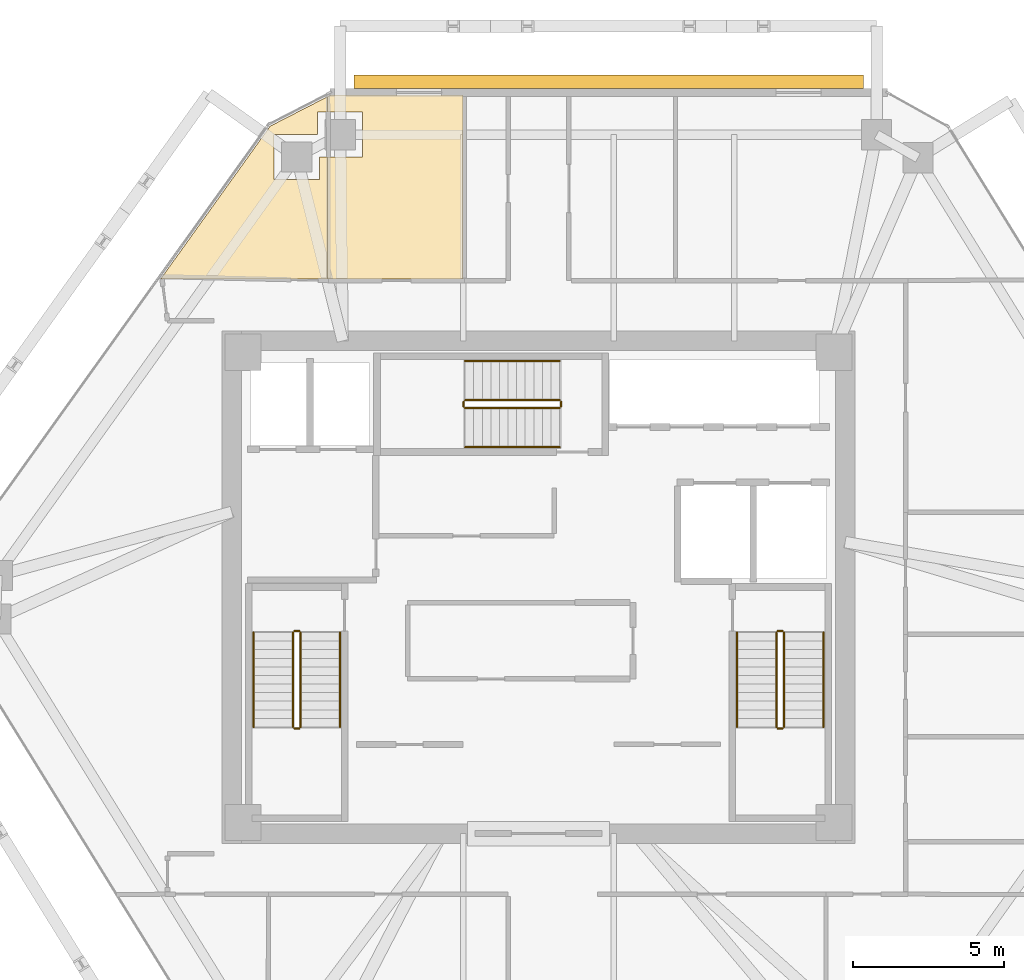
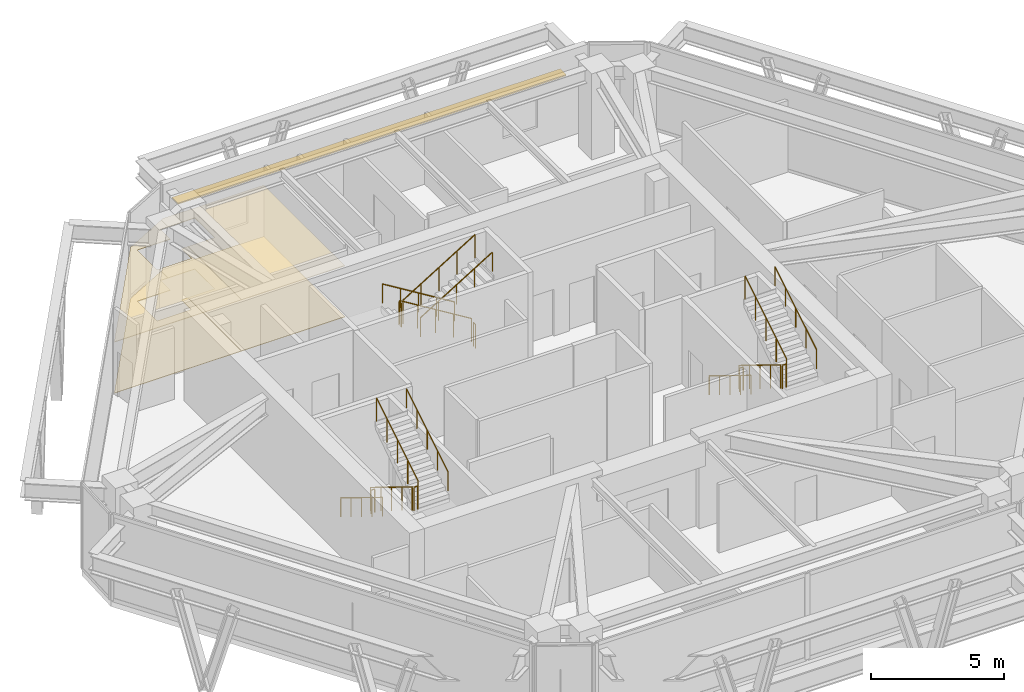
# One storey, part 11 of 11: 18 railings, 4 coverings, 1 shading device.
"""IFC4 building model written with IfcOpenShell, lengths in metres."""

from ifc_helpers import new_model, si_unit, direction, frame, origin, origin_2d, place, context, subcontext, project, spatial, polyline, rectangle, circle, outline, extrude, source, transform, mapped, material, layer, layer_set, type_object, type_shapes, element, save


model = new_model("IFC4")

# Units and contexts
model_context = context("Model", 3, precision=1e-05, world=origin(), true_north=direction((0.0, 1.0)))
body_context = subcontext(model_context, "Body", "Model", "MODEL_VIEW")
ifc_project = project(units=[si_unit("LENGTHUNIT", "METRE"), si_unit("AREAUNIT", "SQUARE_METRE"), si_unit("VOLUMEUNIT", "CUBIC_METRE"), si_unit("PLANEANGLEUNIT", "RADIAN"), si_unit("MASSUNIT", "GRAM", prefix="KILO")], contexts=[model_context])

# Site, building, storey
site_placement = place(None, origin())
site = spatial("IfcSite", under=ifc_project, at=site_placement, CompositionType="ELEMENT")
building_placement = place(site_placement, origin())
building = spatial("IfcBuilding", under=site, at=building_placement, Name="Durnholm Broadcast Tower", CompositionType="ELEMENT")
storey_placement = place(building_placement, frame((0.0, 0.0, 155.10009765625)))
storey = spatial("IfcBuildingStorey", under=building, at=storey_placement, Name="L42", CompositionType="ELEMENT", Elevation=155.10009765625)

# Coverings
ifc_material_1 = material(Name="Mineral Fiber Acoustic Ceiling Tile", Category="concrete")
ifc_layer_1 = layer(ifc_material_1, 0.02490234375)
ifc_layer_set_1 = layer_set([ifc_layer_1], Name="Mineral Fiber Acoustic Ceiling Tile")
covering_type_1 = type_object("IfcCoveringType", Name="COV-CEIL-AC", PredefinedType="CEILING", material=ifc_layer_set_1)
covering_1_placement = place(storey_placement, frame((0.0, 0.0, 2.349853515625)))
element("IfcCovering", 1, at=covering_1_placement, inside=storey, type_object=covering_type_1, Name="L42 Sky Lobby 2 Concourse acoustic ceiling", PredefinedType="CEILING", context=body_context, shape_type="SweptSolid", body=[
    extrude(outline(polyline([(-8.768798828125, 15.0234375), (-7.32568359375, 15.0234375), (-7.32568359375, 15.76513671875), (-7.0048828125, 15.76513671875), (-7.0048828125, 16.27734375), (-8.90576171875, 15.300537109375), (-12.539794921875, 10.22509765625), (-7.0048828125, 10.22509765625), (-7.0048828125, 14.27099609375), (-7.274658203125, 14.27099609375), (-7.274658203125, 13.529296875), (-8.768798828125, 13.529296875), (-8.768798828125, 15.0234375)])), origin(), (0.0, 0.0, 1.0), 0.025146484375),
])
covering_2_placement = place(storey_placement, frame((0.0, 0.0, 2.349853515625)))
element("IfcCovering", 2, at=covering_2_placement, inside=storey, type_object=covering_type_1, Name="L42 Broadcast Espresso Dining Room acoustic ceiling", PredefinedType="CEILING", context=body_context, shape_type="SweptSolid", body=[
    extrude(outline(polyline([(-6.9951171875, 15.76513671875), (-5.83154296875, 15.76513671875), (-5.83154296875, 14.27099609375), (-6.9951171875, 14.27099609375), (-6.9951171875, 10.22509765625), (-2.5048828125, 10.22509765625), (-2.5048828125, 16.3330078125), (-6.896728515625, 16.3330078125), (-6.9951171875, 16.282470703125), (-6.9951171875, 15.76513671875)])), origin(), (0.0, 0.0, 1.0), 0.025146484375),
])
ifc_material_2 = material(Name="Engineered Oak Acoustic Broadcast Flooring", Category="wood")
ifc_layer_2 = layer(ifc_material_2, 0.02001953125)
ifc_layer_set_2 = layer_set([ifc_layer_2], Name="Engineered Oak Acoustic Broadcast Flooring")
covering_type_2 = type_object("IfcCoveringType", Name="COV-FLR-OAK", PredefinedType="FLOORING", material=ifc_layer_set_2)
covering_3_placement = place(storey_placement, origin())
element("IfcCovering", 3, at=covering_3_placement, inside=storey, type_object=covering_type_2, Name="L42 Sky Lobby 2 Concourse acoustic oak flooring", PredefinedType="FLOORING", context=body_context, shape_type="SweptSolid", body=[
    extrude(outline(polyline([(-8.768798828125, 15.0234375), (-7.32568359375, 15.0234375), (-7.32568359375, 15.76513671875), (-7.0048828125, 15.76513671875), (-7.0048828125, 16.27734375), (-8.90576171875, 15.300537109375), (-12.539794921875, 10.22509765625), (-7.0048828125, 10.22509765625), (-7.0048828125, 14.27099609375), (-7.274658203125, 14.27099609375), (-7.274658203125, 13.529296875), (-8.768798828125, 13.529296875), (-8.768798828125, 15.0234375)])), origin(), (0.0, 0.0, 1.0), 0.02001953125),
])
covering_4_placement = place(storey_placement, origin())
element("IfcCovering", 4, at=covering_4_placement, inside=storey, type_object=covering_type_2, Name="L42 Broadcast Espresso Dining Room acoustic oak flooring", PredefinedType="FLOORING", context=body_context, shape_type="SweptSolid", body=[
    extrude(outline(polyline([(-6.9951171875, 15.76513671875), (-5.83154296875, 15.76513671875), (-5.83154296875, 14.27099609375), (-6.9951171875, 14.27099609375), (-6.9951171875, 10.22509765625), (-2.5048828125, 10.22509765625), (-2.5048828125, 16.3330078125), (-6.896728515625, 16.3330078125), (-6.9951171875, 16.282470703125), (-6.9951171875, 15.76513671875)])), origin(), (0.0, 0.0, 1.0), 0.02001953125),
])

# Railings
ifc_material_3 = material(Name="Painted Tubular Steel Stair Guardrail", Category="steel")
railing_type_1 = type_object("IfcRailingType", Name="RAIL-ST-GRD", PredefinedType="GUARDRAIL", material=ifc_material_3)
railing_1_placement = place(storey_placement, frame((-8.14990234375, -1.5, 0.1748046875)))
element("IfcRailing", 5, at=railing_1_placement, inside=storey, type_object=railing_type_1, Name="L42 ST-1 stair guard 1", PredefinedType="GUARDRAIL", context=body_context, shape_type="SweptSolid", body=[
    extrude(circle(Radius=0.02392578125, at=origin_2d()), frame((0.0, 0.0, 1.076171875), z_axis=(0.0, -0.852166034122, 0.523271488128), x_axis=(1.0, 0.0, 0.0)), (0.0, 0.0, 1.0), 3.678955078125),
    extrude(circle(Radius=0.02099609375, at=origin_2d()), origin(), (0.0, 0.0, 1.0), 1.052001953125),
    extrude(circle(Radius=0.02099609375, at=origin_2d()), frame((0.0, -0.78369140625, 0.481201171875)), (0.0, 0.0, 1.0), 1.052001953125),
    extrude(circle(Radius=0.02099609375, at=origin_2d()), frame((0.0, -1.5673828125, 0.96240234375)), (0.0, 0.0, 1.0), 1.052001953125),
    extrude(circle(Radius=0.02099609375, at=origin_2d()), frame((0.0, -2.351318359375, 1.44384765625)), (0.0, 0.0, 1.0), 1.052001953125),
    extrude(circle(Radius=0.02099609375, at=origin_2d()), frame((0.0, -3.135009765625, 1.925048828125)), (0.0, 0.0, 1.0), 1.052001953125),
])
railing_2_placement = place(storey_placement, frame((-8.10009765625, -4.68505859375, 2.099853515625)))
element("IfcRailing", 6, at=railing_2_placement, inside=storey, type_object=railing_type_1, Name="L42 ST-1 stair guard 2", PredefinedType="GUARDRAIL", context=body_context, shape_type="SweptSolid", body=[
    extrude(circle(Radius=0.02392578125, at=origin_2d()), frame((0.0, 0.0, 1.076171875), z_axis=(1.0, 0.0, 0.0), x_axis=(0.0, 1.0, 0.0)), (0.0, 0.0, 1.0), 0.16015625),
    extrude(circle(Radius=0.02099609375, at=origin_2d()), origin(), (0.0, 0.0, 1.0), 1.052001953125),
    extrude(circle(Radius=0.02099609375, at=origin_2d()), frame((0.16015625, 0.0, 0.0)), (0.0, 0.0, 1.0), 1.052001953125),
])
railing_3_placement = place(storey_placement, frame((-7.889892578125, -4.635009765625, 2.27490234375)))
element("IfcRailing", 7, at=railing_3_placement, inside=storey, type_object=railing_type_1, Name="L42 ST-1 stair guard 3", PredefinedType="GUARDRAIL", context=body_context, shape_type="SweptSolid", body=[
    extrude(circle(Radius=0.02392578125, at=origin_2d()), frame((0.0, 0.0, 1.076171875), z_axis=(0.0, 0.852166034122, 0.523271488128), x_axis=(-1.0, 0.0, 0.0)), (0.0, 0.0, 1.0), 3.678955078125),
    extrude(circle(Radius=0.02099609375, at=origin_2d()), origin(), (0.0, 0.0, 1.0), 1.052001953125),
    extrude(circle(Radius=0.02099609375, at=origin_2d()), frame((0.0, 0.78369140625, 0.481201171875)), (0.0, 0.0, 1.0), 1.052001953125),
    extrude(circle(Radius=0.02099609375, at=origin_2d()), frame((0.0, 1.5673828125, 0.96240234375)), (0.0, 0.0, 1.0), 1.052001953125),
    extrude(circle(Radius=0.02099609375, at=origin_2d()), frame((0.0, 2.351318359375, 1.44384765625)), (0.0, 0.0, 1.0), 1.052001953125),
    extrude(circle(Radius=0.02099609375, at=origin_2d()), frame((0.0, 3.135009765625, 1.925048828125)), (0.0, 0.0, 1.0), 1.052001953125),
])
railing_4_placement = place(storey_placement, frame((-8.10009765625, -1.449951171875, 0.0)))
element("IfcRailing", 8, at=railing_4_placement, inside=storey, type_object=railing_type_1, Name="L42 ST-1 stair guard 4", PredefinedType="GUARDRAIL", context=body_context, shape_type="SweptSolid", body=[
    extrude(circle(Radius=0.02392578125, at=origin_2d()), frame((0.0, 0.0, 1.076171875), z_axis=(1.0, 0.0, 0.0), x_axis=(0.0, 1.0, 0.0)), (0.0, 0.0, 1.0), 0.16015625),
    extrude(circle(Radius=0.02099609375, at=origin_2d()), origin(), (0.0, 0.0, 1.0), 1.052001953125),
    extrude(circle(Radius=0.02099609375, at=origin_2d()), frame((0.16015625, 0.0, 0.0)), (0.0, 0.0, 1.0), 1.052001953125),
])
railing_5_placement = place(storey_placement, frame((7.889892578125, -1.5, 0.1748046875)))
element("IfcRailing", 9, at=railing_5_placement, inside=storey, type_object=railing_type_1, Name="L42 ST-2 stair guard 1", PredefinedType="GUARDRAIL", context=body_context, shape_type="SweptSolid", body=[
    extrude(circle(Radius=0.02392578125, at=origin_2d()), frame((0.0, 0.0, 1.076171875), z_axis=(0.0, -0.852166034122, 0.523271488128), x_axis=(1.0, 0.0, 0.0)), (0.0, 0.0, 1.0), 3.678955078125),
    extrude(circle(Radius=0.02099609375, at=origin_2d()), origin(), (0.0, 0.0, 1.0), 1.052001953125),
    extrude(circle(Radius=0.02099609375, at=origin_2d()), frame((0.0, -0.78369140625, 0.481201171875)), (0.0, 0.0, 1.0), 1.052001953125),
    extrude(circle(Radius=0.02099609375, at=origin_2d()), frame((0.0, -1.5673828125, 0.96240234375)), (0.0, 0.0, 1.0), 1.052001953125),
    extrude(circle(Radius=0.02099609375, at=origin_2d()), frame((0.0, -2.351318359375, 1.44384765625)), (0.0, 0.0, 1.0), 1.052001953125),
    extrude(circle(Radius=0.02099609375, at=origin_2d()), frame((0.0, -3.135009765625, 1.925048828125)), (0.0, 0.0, 1.0), 1.052001953125),
])
railing_6_placement = place(storey_placement, frame((7.93994140625, -4.68505859375, 2.099853515625)))
element("IfcRailing", 10, at=railing_6_placement, inside=storey, type_object=railing_type_1, Name="L42 ST-2 stair guard 2", PredefinedType="GUARDRAIL", context=body_context, shape_type="SweptSolid", body=[
    extrude(circle(Radius=0.02392578125, at=origin_2d()), frame((0.0, 0.0, 1.076171875), z_axis=(1.0, 0.0, 0.0), x_axis=(0.0, 1.0, 0.0)), (0.0, 0.0, 1.0), 0.16015625),
    extrude(circle(Radius=0.02099609375, at=origin_2d()), origin(), (0.0, 0.0, 1.0), 1.052001953125),
    extrude(circle(Radius=0.02099609375, at=origin_2d()), frame((0.16015625, 0.0, 0.0)), (0.0, 0.0, 1.0), 1.052001953125),
])
railing_7_placement = place(storey_placement, frame((8.14990234375, -4.635009765625, 2.27490234375)))
element("IfcRailing", 11, at=railing_7_placement, inside=storey, type_object=railing_type_1, Name="L42 ST-2 stair guard 3", PredefinedType="GUARDRAIL", context=body_context, shape_type="SweptSolid", body=[
    extrude(circle(Radius=0.02392578125, at=origin_2d()), frame((0.0, 0.0, 1.076171875), z_axis=(0.0, 0.852166034122, 0.523271488128), x_axis=(-1.0, 0.0, 0.0)), (0.0, 0.0, 1.0), 3.678955078125),
    extrude(circle(Radius=0.02099609375, at=origin_2d()), origin(), (0.0, 0.0, 1.0), 1.052001953125),
    extrude(circle(Radius=0.02099609375, at=origin_2d()), frame((0.0, 0.78369140625, 0.481201171875)), (0.0, 0.0, 1.0), 1.052001953125),
    extrude(circle(Radius=0.02099609375, at=origin_2d()), frame((0.0, 1.5673828125, 0.96240234375)), (0.0, 0.0, 1.0), 1.052001953125),
    extrude(circle(Radius=0.02099609375, at=origin_2d()), frame((0.0, 2.351318359375, 1.44384765625)), (0.0, 0.0, 1.0), 1.052001953125),
    extrude(circle(Radius=0.02099609375, at=origin_2d()), frame((0.0, 3.135009765625, 1.925048828125)), (0.0, 0.0, 1.0), 1.052001953125),
])
railing_8_placement = place(storey_placement, frame((7.93994140625, -1.449951171875, 0.0)))
element("IfcRailing", 12, at=railing_8_placement, inside=storey, type_object=railing_type_1, Name="L42 ST-2 stair guard 4", PredefinedType="GUARDRAIL", context=body_context, shape_type="SweptSolid", body=[
    extrude(circle(Radius=0.02392578125, at=origin_2d()), frame((0.0, 0.0, 1.076171875), z_axis=(1.0, 0.0, 0.0), x_axis=(0.0, 1.0, 0.0)), (0.0, 0.0, 1.0), 0.16015625),
    extrude(circle(Radius=0.02099609375, at=origin_2d()), origin(), (0.0, 0.0, 1.0), 1.052001953125),
    extrude(circle(Radius=0.02099609375, at=origin_2d()), frame((0.16015625, 0.0, 0.0)), (0.0, 0.0, 1.0), 1.052001953125),
])
railing_9_placement = place(storey_placement, frame((0.699951171875, 6.2099609375, 0.1748046875)))
element("IfcRailing", 13, at=railing_9_placement, inside=storey, type_object=railing_type_1, Name="L42 ST-3 stair guard 1", PredefinedType="GUARDRAIL", context=body_context, shape_type="SweptSolid", body=[
    extrude(circle(Radius=0.02392578125, at=origin_2d()), frame((0.0, 0.0, 1.076171875), z_axis=(-0.852166034122, 0.0, 0.523271488128), x_axis=(0.0, -1.0, 0.0)), (0.0, 0.0, 1.0), 3.678955078125),
    extrude(circle(Radius=0.02099609375, at=origin_2d()), origin(), (0.0, 0.0, 1.0), 1.052001953125),
    extrude(circle(Radius=0.02099609375, at=origin_2d()), frame((-0.78369140625, 0.0, 0.481201171875)), (0.0, 0.0, 1.0), 1.052001953125),
    extrude(circle(Radius=0.02099609375, at=origin_2d()), frame((-1.5673828125, 0.0, 0.96240234375)), (0.0, 0.0, 1.0), 1.052001953125),
    extrude(circle(Radius=0.02099609375, at=origin_2d()), frame((-2.351318359375, 0.0, 1.44384765625)), (0.0, 0.0, 1.0), 1.052001953125),
    extrude(circle(Radius=0.02099609375, at=origin_2d()), frame((-3.135009765625, 0.0, 1.925048828125)), (0.0, 0.0, 1.0), 1.052001953125),
])
railing_10_placement = place(storey_placement, frame((-2.485107421875, 6.159912109375, 2.099853515625)))
element("IfcRailing", 14, at=railing_10_placement, inside=storey, type_object=railing_type_1, Name="L42 ST-3 stair guard 2", PredefinedType="GUARDRAIL", context=body_context, shape_type="SweptSolid", body=[
    extrude(circle(Radius=0.02392578125, at=origin_2d()), frame((0.0, 0.0, 1.076171875), z_axis=(0.0, -1.0, 0.0), x_axis=(1.0, 0.0, 0.0)), (0.0, 0.0, 1.0), 0.159912109375),
    extrude(circle(Radius=0.02099609375, at=origin_2d()), origin(), (0.0, 0.0, 1.0), 1.052001953125),
    extrude(circle(Radius=0.02099609375, at=origin_2d()), frame((0.0, -0.159912109375, 0.0)), (0.0, 0.0, 1.0), 1.052001953125),
])
railing_11_placement = place(storey_placement, frame((-2.43505859375, 5.949951171875, 2.27490234375)))
element("IfcRailing", 15, at=railing_11_placement, inside=storey, type_object=railing_type_1, Name="L42 ST-3 stair guard 3", PredefinedType="GUARDRAIL", context=body_context, shape_type="SweptSolid", body=[
    extrude(circle(Radius=0.02392578125, at=origin_2d()), frame((0.0, 0.0, 1.076171875), z_axis=(0.852166034122, 0.0, 0.523271488128), x_axis=(0.0, 1.0, 0.0)), (0.0, 0.0, 1.0), 3.678955078125),
    extrude(circle(Radius=0.02099609375, at=origin_2d()), origin(), (0.0, 0.0, 1.0), 1.052001953125),
    extrude(circle(Radius=0.02099609375, at=origin_2d()), frame((0.78369140625, 0.0, 0.481201171875)), (0.0, 0.0, 1.0), 1.052001953125),
    extrude(circle(Radius=0.02099609375, at=origin_2d()), frame((1.5673828125, 0.0, 0.96240234375)), (0.0, 0.0, 1.0), 1.052001953125),
    extrude(circle(Radius=0.02099609375, at=origin_2d()), frame((2.351318359375, 0.0, 1.44384765625)), (0.0, 0.0, 1.0), 1.052001953125),
    extrude(circle(Radius=0.02099609375, at=origin_2d()), frame((3.135009765625, 0.0, 1.925048828125)), (0.0, 0.0, 1.0), 1.052001953125),
])
railing_12_placement = place(storey_placement, frame((0.75, 6.159912109375, 0.0)))
element("IfcRailing", 16, at=railing_12_placement, inside=storey, type_object=railing_type_1, Name="L42 ST-3 stair guard 4", PredefinedType="GUARDRAIL", context=body_context, shape_type="SweptSolid", body=[
    extrude(circle(Radius=0.02392578125, at=origin_2d()), frame((0.0, 0.0, 1.076171875), z_axis=(0.0, -1.0, 0.0), x_axis=(1.0, 0.0, 0.0)), (0.0, 0.0, 1.0), 0.159912109375),
    extrude(circle(Radius=0.02099609375, at=origin_2d()), origin(), (0.0, 0.0, 1.0), 1.052001953125),
    extrude(circle(Radius=0.02099609375, at=origin_2d()), frame((0.0, -0.159912109375, 0.0)), (0.0, 0.0, 1.0), 1.052001953125),
])
ifc_material_4 = material(Name="Brushed Stainless Steel Handrail", Category="steel")
railing_type_2 = type_object("IfcRailingType", Name="RAIL-ST-HND", PredefinedType="HANDRAIL", material=ifc_material_4)
railing_13_placement = place(storey_placement, frame((-9.449951171875, -1.5, 0.349853515625)))
element("IfcRailing", 17, at=railing_13_placement, inside=storey, type_object=railing_type_2, Name="L42 ST-1 stair handrail 1", PredefinedType="HANDRAIL", context=body_context, shape_type="SweptSolid", body=[
    extrude(circle(Radius=0.02392578125, at=origin_2d()), frame((0.0, 0.0, 0.8759765625), z_axis=(0.0, -0.852166034122, 0.523271488128), x_axis=(1.0, 0.0, 0.0)), (0.0, 0.0, 1.0), 3.678955078125),
    extrude(circle(Radius=0.02099609375, at=origin_2d()), origin(), (0.0, 0.0, 1.0), 0.851806640625),
    extrude(circle(Radius=0.02099609375, at=origin_2d()), frame((0.0, -0.78369140625, 0.481201171875)), (0.0, 0.0, 1.0), 0.851806640625),
    extrude(circle(Radius=0.02099609375, at=origin_2d()), frame((0.0, -1.5673828125, 0.96240234375)), (0.0, 0.0, 1.0), 0.851806640625),
    extrude(circle(Radius=0.02099609375, at=origin_2d()), frame((0.0, -2.351318359375, 1.44384765625)), (0.0, 0.0, 1.0), 0.851806640625),
    extrude(circle(Radius=0.02099609375, at=origin_2d()), frame((0.0, -3.135009765625, 1.925048828125)), (0.0, 0.0, 1.0), 0.851806640625),
])
railing_14_placement = place(storey_placement, frame((-6.590087890625, -4.635009765625, 2.449951171875)))
element("IfcRailing", 18, at=railing_14_placement, inside=storey, type_object=railing_type_2, Name="L42 ST-1 stair handrail 2", PredefinedType="HANDRAIL", context=body_context, shape_type="SweptSolid", body=[
    extrude(circle(Radius=0.02392578125, at=origin_2d()), frame((0.0, 0.0, 0.8759765625), z_axis=(0.0, 0.852166034122, 0.523271488128), x_axis=(-1.0, 0.0, 0.0)), (0.0, 0.0, 1.0), 3.678955078125),
    extrude(circle(Radius=0.02099609375, at=origin_2d()), origin(), (0.0, 0.0, 1.0), 0.851806640625),
    extrude(circle(Radius=0.02099609375, at=origin_2d()), frame((0.0, 0.78369140625, 0.481201171875)), (0.0, 0.0, 1.0), 0.851806640625),
    extrude(circle(Radius=0.02099609375, at=origin_2d()), frame((0.0, 1.5673828125, 0.96240234375)), (0.0, 0.0, 1.0), 0.851806640625),
    extrude(circle(Radius=0.02099609375, at=origin_2d()), frame((0.0, 2.351318359375, 1.44384765625)), (0.0, 0.0, 1.0), 0.851806640625),
    extrude(circle(Radius=0.02099609375, at=origin_2d()), frame((0.0, 3.135009765625, 1.925048828125)), (0.0, 0.0, 1.0), 0.851806640625),
])
railing_15_placement = place(storey_placement, frame((6.590087890625, -1.5, 0.349853515625)))
element("IfcRailing", 19, at=railing_15_placement, inside=storey, type_object=railing_type_2, Name="L42 ST-2 stair handrail 1", PredefinedType="HANDRAIL", context=body_context, shape_type="SweptSolid", body=[
    extrude(circle(Radius=0.02392578125, at=origin_2d()), frame((0.0, 0.0, 0.8759765625), z_axis=(0.0, -0.852166034122, 0.523271488128), x_axis=(1.0, 0.0, 0.0)), (0.0, 0.0, 1.0), 3.678955078125),
    extrude(circle(Radius=0.02099609375, at=origin_2d()), origin(), (0.0, 0.0, 1.0), 0.851806640625),
    extrude(circle(Radius=0.02099609375, at=origin_2d()), frame((0.0, -0.78369140625, 0.481201171875)), (0.0, 0.0, 1.0), 0.851806640625),
    extrude(circle(Radius=0.02099609375, at=origin_2d()), frame((0.0, -1.5673828125, 0.96240234375)), (0.0, 0.0, 1.0), 0.851806640625),
    extrude(circle(Radius=0.02099609375, at=origin_2d()), frame((0.0, -2.351318359375, 1.44384765625)), (0.0, 0.0, 1.0), 0.851806640625),
    extrude(circle(Radius=0.02099609375, at=origin_2d()), frame((0.0, -3.135009765625, 1.925048828125)), (0.0, 0.0, 1.0), 0.851806640625),
])
railing_16_placement = place(storey_placement, frame((9.449951171875, -4.635009765625, 2.449951171875)))
element("IfcRailing", 20, at=railing_16_placement, inside=storey, type_object=railing_type_2, Name="L42 ST-2 stair handrail 2", PredefinedType="HANDRAIL", context=body_context, shape_type="SweptSolid", body=[
    extrude(circle(Radius=0.02392578125, at=origin_2d()), frame((0.0, 0.0, 0.8759765625), z_axis=(0.0, 0.852166034122, 0.523271488128), x_axis=(-1.0, 0.0, 0.0)), (0.0, 0.0, 1.0), 3.678955078125),
    extrude(circle(Radius=0.02099609375, at=origin_2d()), origin(), (0.0, 0.0, 1.0), 0.851806640625),
    extrude(circle(Radius=0.02099609375, at=origin_2d()), frame((0.0, 0.78369140625, 0.481201171875)), (0.0, 0.0, 1.0), 0.851806640625),
    extrude(circle(Radius=0.02099609375, at=origin_2d()), frame((0.0, 1.5673828125, 0.96240234375)), (0.0, 0.0, 1.0), 0.851806640625),
    extrude(circle(Radius=0.02099609375, at=origin_2d()), frame((0.0, 2.351318359375, 1.44384765625)), (0.0, 0.0, 1.0), 0.851806640625),
    extrude(circle(Radius=0.02099609375, at=origin_2d()), frame((0.0, 3.135009765625, 1.925048828125)), (0.0, 0.0, 1.0), 0.851806640625),
])
railing_17_placement = place(storey_placement, frame((0.699951171875, 7.510009765625, 0.349853515625)))
element("IfcRailing", 21, at=railing_17_placement, inside=storey, type_object=railing_type_2, Name="L42 ST-3 stair handrail 1", PredefinedType="HANDRAIL", context=body_context, shape_type="SweptSolid", body=[
    extrude(circle(Radius=0.02392578125, at=origin_2d()), frame((0.0, 0.0, 0.8759765625), z_axis=(-0.852166034122, 0.0, 0.523271488128), x_axis=(0.0, -1.0, 0.0)), (0.0, 0.0, 1.0), 3.678955078125),
    extrude(circle(Radius=0.02099609375, at=origin_2d()), origin(), (0.0, 0.0, 1.0), 0.851806640625),
    extrude(circle(Radius=0.02099609375, at=origin_2d()), frame((-0.78369140625, 0.0, 0.481201171875)), (0.0, 0.0, 1.0), 0.851806640625),
    extrude(circle(Radius=0.02099609375, at=origin_2d()), frame((-1.5673828125, 0.0, 0.96240234375)), (0.0, 0.0, 1.0), 0.851806640625),
    extrude(circle(Radius=0.02099609375, at=origin_2d()), frame((-2.351318359375, 0.0, 1.44384765625)), (0.0, 0.0, 1.0), 0.851806640625),
    extrude(circle(Radius=0.02099609375, at=origin_2d()), frame((-3.135009765625, 0.0, 1.925048828125)), (0.0, 0.0, 1.0), 0.851806640625),
])
railing_18_placement = place(storey_placement, frame((-2.43505859375, 4.64990234375, 2.449951171875)))
element("IfcRailing", 22, at=railing_18_placement, inside=storey, type_object=railing_type_2, Name="L42 ST-3 stair handrail 2", PredefinedType="HANDRAIL", context=body_context, shape_type="SweptSolid", body=[
    extrude(circle(Radius=0.02392578125, at=origin_2d()), frame((0.0, 0.0, 0.8759765625), z_axis=(0.852166034122, 0.0, 0.523271488128), x_axis=(0.0, 1.0, 0.0)), (0.0, 0.0, 1.0), 3.678955078125),
    extrude(circle(Radius=0.02099609375, at=origin_2d()), origin(), (0.0, 0.0, 1.0), 0.851806640625),
    extrude(circle(Radius=0.02099609375, at=origin_2d()), frame((0.78369140625, 0.0, 0.481201171875)), (0.0, 0.0, 1.0), 0.851806640625),
    extrude(circle(Radius=0.02099609375, at=origin_2d()), frame((1.5673828125, 0.0, 0.96240234375)), (0.0, 0.0, 1.0), 0.851806640625),
    extrude(circle(Radius=0.02099609375, at=origin_2d()), frame((2.351318359375, 0.0, 1.44384765625)), (0.0, 0.0, 1.0), 0.851806640625),
    extrude(circle(Radius=0.02099609375, at=origin_2d()), frame((3.135009765625, 0.0, 1.925048828125)), (0.0, 0.0, 1.0), 0.851806640625),
])

# Shading device
ifc_material_5 = material(Name="Extruded Aluminium Sunshade Fin", Category="aluminium")
ifc_layer_3 = layer(ifc_material_5, 0.06005859375)
ifc_layer_set_3 = layer_set([ifc_layer_3], Name="Extruded Aluminium Sunshade Fin")
shading_device_type = type_object("IfcShadingDeviceType", Name="SHD-SUN-BLADE", PredefinedType="JALOUSIE", material=ifc_layer_set_3)
shared_shape = source(origin(), body_context, "Body", "SweptSolid", [
    extrude(rectangle(XDim=16.898681640625, YDim=0.449951171875, at=origin_2d()), origin(), (0.0, 0.0, 1.0), 0.06005859375),
])
type_shapes(shading_device_type, [shared_shape])
shading_device_placement = place(storey_placement, frame((2.33203125, 16.76806640625, 2.619873046875), z_axis=(0.0, 0.0, 1.0), x_axis=(1.0, 0.0, 0.0)))
element("IfcShadingDevice", 23, at=shading_device_placement, inside=storey, type_object=shading_device_type, Name="L42 north solar shading fin", PredefinedType="JALOUSIE", context=body_context, shape_type="MappedRepresentation", body=[
    mapped(shared_shape, transform((0.0, 0.0, 0.0), x_axis=(1.0, 0.0, 0.0), y_axis=(0.0, 1.0, 0.0), z_axis=(0.0, 0.0, 1.0), scale=1.0)),
])

save(model, "model.ifc")
